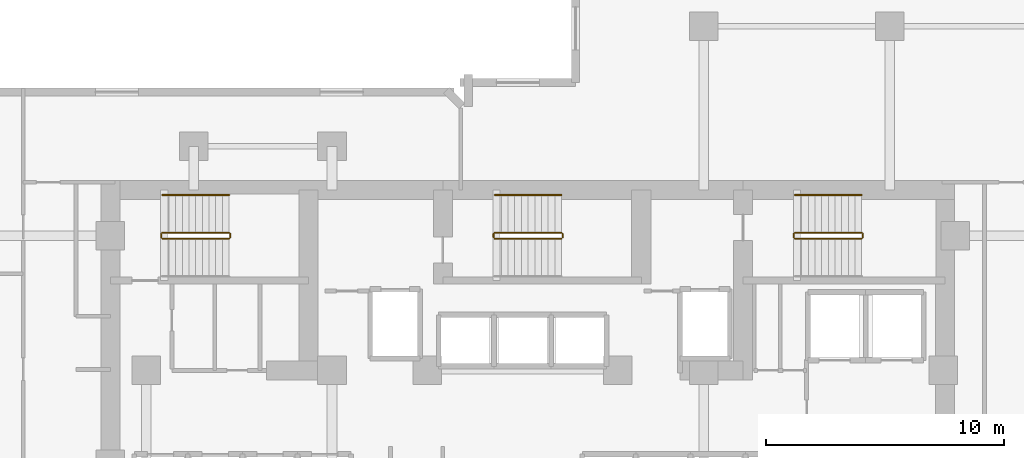
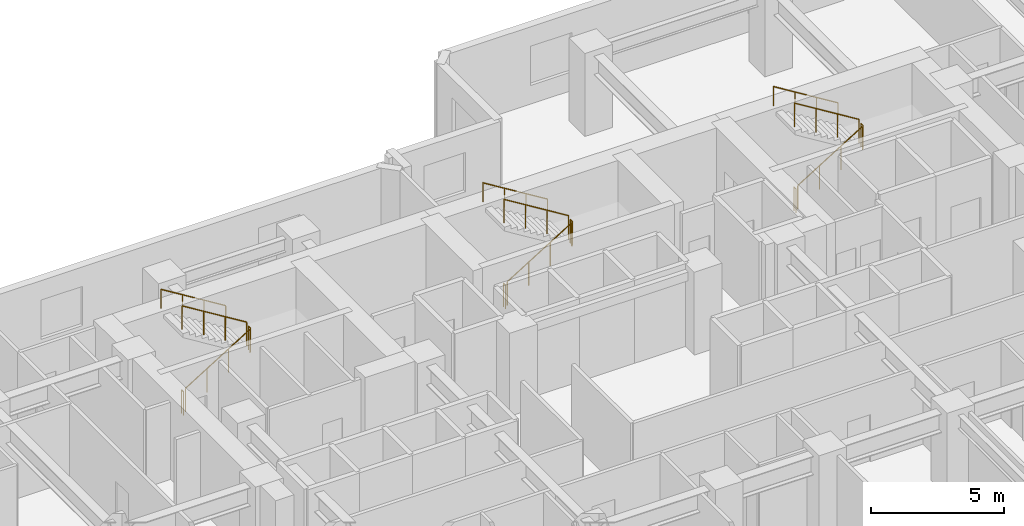
# One storey, part 12 of 12: 15 railings.
"""IFC4 building model written with IfcOpenShell, lengths in metres."""

from ifc_helpers import new_model, si_unit, direction, frame, origin, origin_2d, place, context, subcontext, project, spatial, circle, extrude, material, type_object, element, save


model = new_model("IFC4")

# Units and contexts
model_context = context("Model", 3, precision=1e-05, world=origin(), true_north=direction((0.0, 1.0)))
body_context = subcontext(model_context, "Body", "Model", "MODEL_VIEW")
ifc_project = project(units=[si_unit("LENGTHUNIT", "METRE"), si_unit("AREAUNIT", "SQUARE_METRE"), si_unit("VOLUMEUNIT", "CUBIC_METRE"), si_unit("PLANEANGLEUNIT", "RADIAN"), si_unit("MASSUNIT", "GRAM", prefix="KILO")], contexts=[model_context])

# Site, building, storey
site_placement = place(None, origin())
site = spatial("IfcSite", under=ifc_project, at=site_placement, CompositionType="ELEMENT")
building_placement = place(site_placement, origin())
building = spatial("IfcBuilding", under=site, at=building_placement, Name="Kestravale Grand Hotel", CompositionType="ELEMENT")
storey_placement = place(building_placement, frame((0.0, 0.0, 122.199951171875)))
storey = spatial("IfcBuildingStorey", under=building, at=storey_placement, Name="L30", CompositionType="ELEMENT", Elevation=122.199951171875)

# Railings
ifc_material_1 = material(Name="Painted tubular steel stair well guard", Category="steel")
railing_type_1 = type_object("IfcRailingType", Name="RL-ST-GRD1100", PredefinedType="GUARDRAIL", material=ifc_material_1)
railing_1_placement = place(storey_placement, frame((24.080078125, 38.280029296875, 0.1728515625)))
element("IfcRailing", 1, at=railing_1_placement, inside=storey, type_object=railing_type_1, Name="L30 ST-1 stair guard 1", PredefinedType="GUARDRAIL", context=body_context, shape_type="SweptSolid", body=[
    extrude(circle(Radius=0.02392578125, at=origin_2d()), frame((0.0, 0.0, 1.076171875), z_axis=(0.851069175582, 0.0, 0.525053576669), x_axis=(0.0, 1.0, 0.0)), (0.0, 0.0, 1.0), 3.289794921875),
    extrude(circle(Radius=0.02099609375, at=origin_2d()), origin(), (0.0, 0.0, 1.0), 1.052001953125),
    extrude(circle(Radius=0.02099609375, at=origin_2d()), frame((0.933349609375, 0.0, 0.57568359375)), (0.0, 0.0, 1.0), 1.052001953125),
    extrude(circle(Radius=0.02099609375, at=origin_2d()), frame((1.866455078125, 0.0, 1.151611328125)), (0.0, 0.0, 1.0), 1.052001953125),
    extrude(circle(Radius=0.02099609375, at=origin_2d()), frame((2.7998046875, 0.0, 1.727294921875)), (0.0, 0.0, 1.0), 1.052001953125),
])
railing_2_placement = place(storey_placement, frame((26.929931640625, 38.330078125, 1.900146484375)))
element("IfcRailing", 2, at=railing_2_placement, inside=storey, type_object=railing_type_1, Name="L30 ST-1 stair guard 2", PredefinedType="GUARDRAIL", context=body_context, shape_type="SweptSolid", body=[
    extrude(circle(Radius=0.02392578125, at=origin_2d()), frame((0.0, 0.0, 1.076171875), z_axis=(0.0, 1.0, 0.0), x_axis=(-1.0, 0.0, 0.0)), (0.0, 0.0, 1.0), 0.14990234375),
    extrude(circle(Radius=0.02099609375, at=origin_2d()), origin(), (0.0, 0.0, 1.0), 1.052001953125),
    extrude(circle(Radius=0.02099609375, at=origin_2d()), frame((0.0, 0.14990234375, 0.0)), (0.0, 0.0, 1.0), 1.052001953125),
])
railing_3_placement = place(storey_placement, frame((26.8798828125, 38.530029296875, 2.07275390625)))
element("IfcRailing", 3, at=railing_3_placement, inside=storey, type_object=railing_type_1, Name="L30 ST-1 stair guard 3", PredefinedType="GUARDRAIL", context=body_context, shape_type="SweptSolid", body=[
    extrude(circle(Radius=0.02392578125, at=origin_2d()), frame((0.0, 0.0, 1.076171875), z_axis=(-0.851069175582, 0.0, 0.525053576669), x_axis=(0.0, -1.0, 0.0)), (0.0, 0.0, 1.0), 3.289794921875),
    extrude(circle(Radius=0.02099609375, at=origin_2d()), origin(), (0.0, 0.0, 1.0), 1.052001953125),
    extrude(circle(Radius=0.02099609375, at=origin_2d()), frame((-0.933349609375, 0.0, 0.57568359375)), (0.0, 0.0, 1.0), 1.052001953125),
    extrude(circle(Radius=0.02099609375, at=origin_2d()), frame((-1.866455078125, 0.0, 1.151611328125)), (0.0, 0.0, 1.0), 1.052001953125),
    extrude(circle(Radius=0.02099609375, at=origin_2d()), frame((-2.7998046875, 0.0, 1.727294921875)), (0.0, 0.0, 1.0), 1.052001953125),
])
railing_4_placement = place(storey_placement, frame((24.030029296875, 38.330078125, 0.0)))
element("IfcRailing", 4, at=railing_4_placement, inside=storey, type_object=railing_type_1, Name="L30 ST-1 stair guard 4", PredefinedType="GUARDRAIL", context=body_context, shape_type="SweptSolid", body=[
    extrude(circle(Radius=0.02392578125, at=origin_2d()), frame((0.0, 0.0, 1.076171875), z_axis=(0.0, 1.0, 0.0), x_axis=(-1.0, 0.0, 0.0)), (0.0, 0.0, 1.0), 0.14990234375),
    extrude(circle(Radius=0.02099609375, at=origin_2d()), origin(), (0.0, 0.0, 1.0), 1.052001953125),
    extrude(circle(Radius=0.02099609375, at=origin_2d()), frame((0.0, 0.14990234375, 0.0)), (0.0, 0.0, 1.0), 1.052001953125),
])
railing_5_placement = place(storey_placement, frame((38.030029296875, 38.280029296875, 0.1728515625)))
element("IfcRailing", 5, at=railing_5_placement, inside=storey, type_object=railing_type_1, Name="L30 ST-2 stair guard 1", PredefinedType="GUARDRAIL", context=body_context, shape_type="SweptSolid", body=[
    extrude(circle(Radius=0.02392578125, at=origin_2d()), frame((0.0, 0.0, 1.076171875), z_axis=(0.851089632645, 0.0, 0.525020415988), x_axis=(0.0, 1.0, 0.0)), (0.0, 0.0, 1.0), 3.2900390625),
    extrude(circle(Radius=0.02099609375, at=origin_2d()), origin(), (0.0, 0.0, 1.0), 1.052001953125),
    extrude(circle(Radius=0.02099609375, at=origin_2d()), frame((0.933349609375, 0.0, 0.57568359375)), (0.0, 0.0, 1.0), 1.052001953125),
    extrude(circle(Radius=0.02099609375, at=origin_2d()), frame((1.86669921875, 0.0, 1.151611328125)), (0.0, 0.0, 1.0), 1.052001953125),
    extrude(circle(Radius=0.02099609375, at=origin_2d()), frame((2.800048828125, 0.0, 1.727294921875)), (0.0, 0.0, 1.0), 1.052001953125),
])
railing_6_placement = place(storey_placement, frame((40.8798828125, 38.330078125, 1.900146484375)))
element("IfcRailing", 6, at=railing_6_placement, inside=storey, type_object=railing_type_1, Name="L30 ST-2 stair guard 2", PredefinedType="GUARDRAIL", context=body_context, shape_type="SweptSolid", body=[
    extrude(circle(Radius=0.02392578125, at=origin_2d()), frame((0.0, 0.0, 1.076171875), z_axis=(0.0, 1.0, 0.0), x_axis=(-1.0, 0.0, 0.0)), (0.0, 0.0, 1.0), 0.14990234375),
    extrude(circle(Radius=0.02099609375, at=origin_2d()), origin(), (0.0, 0.0, 1.0), 1.052001953125),
    extrude(circle(Radius=0.02099609375, at=origin_2d()), frame((0.0, 0.14990234375, 0.0)), (0.0, 0.0, 1.0), 1.052001953125),
])
railing_7_placement = place(storey_placement, frame((40.830078125, 38.530029296875, 2.07275390625)))
element("IfcRailing", 7, at=railing_7_placement, inside=storey, type_object=railing_type_1, Name="L30 ST-2 stair guard 3", PredefinedType="GUARDRAIL", context=body_context, shape_type="SweptSolid", body=[
    extrude(circle(Radius=0.02392578125, at=origin_2d()), frame((0.0, 0.0, 1.076171875), z_axis=(-0.851089632645, 0.0, 0.525020415988), x_axis=(0.0, -1.0, 0.0)), (0.0, 0.0, 1.0), 3.2900390625),
    extrude(circle(Radius=0.02099609375, at=origin_2d()), origin(), (0.0, 0.0, 1.0), 1.052001953125),
    extrude(circle(Radius=0.02099609375, at=origin_2d()), frame((-0.933349609375, 0.0, 0.57568359375)), (0.0, 0.0, 1.0), 1.052001953125),
    extrude(circle(Radius=0.02099609375, at=origin_2d()), frame((-1.86669921875, 0.0, 1.151611328125)), (0.0, 0.0, 1.0), 1.052001953125),
    extrude(circle(Radius=0.02099609375, at=origin_2d()), frame((-2.800048828125, 0.0, 1.727294921875)), (0.0, 0.0, 1.0), 1.052001953125),
])
railing_8_placement = place(storey_placement, frame((37.97998046875, 38.330078125, 0.0)))
element("IfcRailing", 8, at=railing_8_placement, inside=storey, type_object=railing_type_1, Name="L30 ST-2 stair guard 4", PredefinedType="GUARDRAIL", context=body_context, shape_type="SweptSolid", body=[
    extrude(circle(Radius=0.02392578125, at=origin_2d()), frame((0.0, 0.0, 1.076171875), z_axis=(0.0, 1.0, 0.0), x_axis=(-1.0, 0.0, 0.0)), (0.0, 0.0, 1.0), 0.14990234375),
    extrude(circle(Radius=0.02099609375, at=origin_2d()), origin(), (0.0, 0.0, 1.0), 1.052001953125),
    extrude(circle(Radius=0.02099609375, at=origin_2d()), frame((0.0, 0.14990234375, 0.0)), (0.0, 0.0, 1.0), 1.052001953125),
])
railing_9_placement = place(storey_placement, frame((50.6298828125, 38.280029296875, 0.1728515625)))
element("IfcRailing", 9, at=railing_9_placement, inside=storey, type_object=railing_type_1, Name="L30 ST-3 stair guard 1", PredefinedType="GUARDRAIL", context=body_context, shape_type="SweptSolid", body=[
    extrude(circle(Radius=0.02392578125, at=origin_2d()), frame((0.0, 0.0, 1.076171875), z_axis=(0.851089632645, 0.0, 0.525020415988), x_axis=(0.0, 1.0, 0.0)), (0.0, 0.0, 1.0), 3.2900390625),
    extrude(circle(Radius=0.02099609375, at=origin_2d()), origin(), (0.0, 0.0, 1.0), 1.052001953125),
    extrude(circle(Radius=0.02099609375, at=origin_2d()), frame((0.933349609375, 0.0, 0.57568359375)), (0.0, 0.0, 1.0), 1.052001953125),
    extrude(circle(Radius=0.02099609375, at=origin_2d()), frame((1.86669921875, 0.0, 1.151611328125)), (0.0, 0.0, 1.0), 1.052001953125),
    extrude(circle(Radius=0.02099609375, at=origin_2d()), frame((2.800048828125, 0.0, 1.727294921875)), (0.0, 0.0, 1.0), 1.052001953125),
])
railing_10_placement = place(storey_placement, frame((53.47998046875, 38.330078125, 1.900146484375)))
element("IfcRailing", 10, at=railing_10_placement, inside=storey, type_object=railing_type_1, Name="L30 ST-3 stair guard 2", PredefinedType="GUARDRAIL", context=body_context, shape_type="SweptSolid", body=[
    extrude(circle(Radius=0.02392578125, at=origin_2d()), frame((0.0, 0.0, 1.076171875), z_axis=(0.0, 1.0, 0.0), x_axis=(-1.0, 0.0, 0.0)), (0.0, 0.0, 1.0), 0.14990234375),
    extrude(circle(Radius=0.02099609375, at=origin_2d()), origin(), (0.0, 0.0, 1.0), 1.052001953125),
    extrude(circle(Radius=0.02099609375, at=origin_2d()), frame((0.0, 0.14990234375, 0.0)), (0.0, 0.0, 1.0), 1.052001953125),
])
railing_11_placement = place(storey_placement, frame((53.429931640625, 38.530029296875, 2.07275390625)))
element("IfcRailing", 11, at=railing_11_placement, inside=storey, type_object=railing_type_1, Name="L30 ST-3 stair guard 3", PredefinedType="GUARDRAIL", context=body_context, shape_type="SweptSolid", body=[
    extrude(circle(Radius=0.02392578125, at=origin_2d()), frame((0.0, 0.0, 1.076171875), z_axis=(-0.851089632645, 0.0, 0.525020415988), x_axis=(0.0, -1.0, 0.0)), (0.0, 0.0, 1.0), 3.2900390625),
    extrude(circle(Radius=0.02099609375, at=origin_2d()), origin(), (0.0, 0.0, 1.0), 1.052001953125),
    extrude(circle(Radius=0.02099609375, at=origin_2d()), frame((-0.933349609375, 0.0, 0.57568359375)), (0.0, 0.0, 1.0), 1.052001953125),
    extrude(circle(Radius=0.02099609375, at=origin_2d()), frame((-1.86669921875, 0.0, 1.151611328125)), (0.0, 0.0, 1.0), 1.052001953125),
    extrude(circle(Radius=0.02099609375, at=origin_2d()), frame((-2.800048828125, 0.0, 1.727294921875)), (0.0, 0.0, 1.0), 1.052001953125),
])
railing_12_placement = place(storey_placement, frame((50.580078125, 38.330078125, 0.0)))
element("IfcRailing", 12, at=railing_12_placement, inside=storey, type_object=railing_type_1, Name="L30 ST-3 stair guard 4", PredefinedType="GUARDRAIL", context=body_context, shape_type="SweptSolid", body=[
    extrude(circle(Radius=0.02392578125, at=origin_2d()), frame((0.0, 0.0, 1.076171875), z_axis=(0.0, 1.0, 0.0), x_axis=(-1.0, 0.0, 0.0)), (0.0, 0.0, 1.0), 0.14990234375),
    extrude(circle(Radius=0.02099609375, at=origin_2d()), origin(), (0.0, 0.0, 1.0), 1.052001953125),
    extrude(circle(Radius=0.02099609375, at=origin_2d()), frame((0.0, 0.14990234375, 0.0)), (0.0, 0.0, 1.0), 1.052001953125),
])
ifc_material_2 = material(Name="Brushed stainless steel wall handrail", Category="steel")
railing_type_2 = type_object("IfcRailingType", Name="RL-ST-HND900", PredefinedType="HANDRAIL", material=ifc_material_2)
railing_13_placement = place(storey_placement, frame((26.8798828125, 40.110107421875, 2.07275390625)))
element("IfcRailing", 13, at=railing_13_placement, inside=storey, type_object=railing_type_2, Name="L30 ST-1 stair handrail 2", PredefinedType="HANDRAIL", context=body_context, shape_type="SweptSolid", body=[
    extrude(circle(Radius=0.02392578125, at=origin_2d()), frame((0.0, 0.0, 0.8759765625), z_axis=(-0.851069175582, 0.0, 0.525053576669), x_axis=(0.0, -1.0, 0.0)), (0.0, 0.0, 1.0), 3.289794921875),
    extrude(circle(Radius=0.02099609375, at=origin_2d()), origin(), (0.0, 0.0, 1.0), 0.851806640625),
    extrude(circle(Radius=0.02099609375, at=origin_2d()), frame((-0.933349609375, 0.0, 0.57568359375)), (0.0, 0.0, 1.0), 0.851806640625),
    extrude(circle(Radius=0.02099609375, at=origin_2d()), frame((-1.866455078125, 0.0, 1.151611328125)), (0.0, 0.0, 1.0), 0.851806640625),
    extrude(circle(Radius=0.02099609375, at=origin_2d()), frame((-2.7998046875, 0.0, 1.727294921875)), (0.0, 0.0, 1.0), 0.851806640625),
])
for number, where, name in (
    (14, (40.830078125, 40.110107421875, 2.07275390625), "L30 ST-2 stair handrail 2"),
    (15, (53.429931640625, 40.110107421875, 2.07275390625), "L30 ST-3 stair handrail 2"),
):
    element("IfcRailing", number, at=place(storey_placement, frame(where)), inside=storey, type_object=railing_type_2, Name=name, PredefinedType="HANDRAIL", context=body_context, shape_type="SweptSolid", body=[
        extrude(circle(Radius=0.02392578125, at=origin_2d()), frame((0.0, 0.0, 0.8759765625), z_axis=(-0.851089632645, 0.0, 0.525020415988), x_axis=(0.0, -1.0, 0.0)), (0.0, 0.0, 1.0), 3.2900390625),
        extrude(circle(Radius=0.02099609375, at=origin_2d()), origin(), (0.0, 0.0, 1.0), 0.851806640625),
        extrude(circle(Radius=0.02099609375, at=origin_2d()), frame((-0.933349609375, 0.0, 0.57568359375)), (0.0, 0.0, 1.0), 0.851806640625),
        extrude(circle(Radius=0.02099609375, at=origin_2d()), frame((-1.86669921875, 0.0, 1.151611328125)), (0.0, 0.0, 1.0), 0.851806640625),
        extrude(circle(Radius=0.02099609375, at=origin_2d()), frame((-2.800048828125, 0.0, 1.727294921875)), (0.0, 0.0, 1.0), 0.851806640625),
    ])

save(model, "model.ifc")
